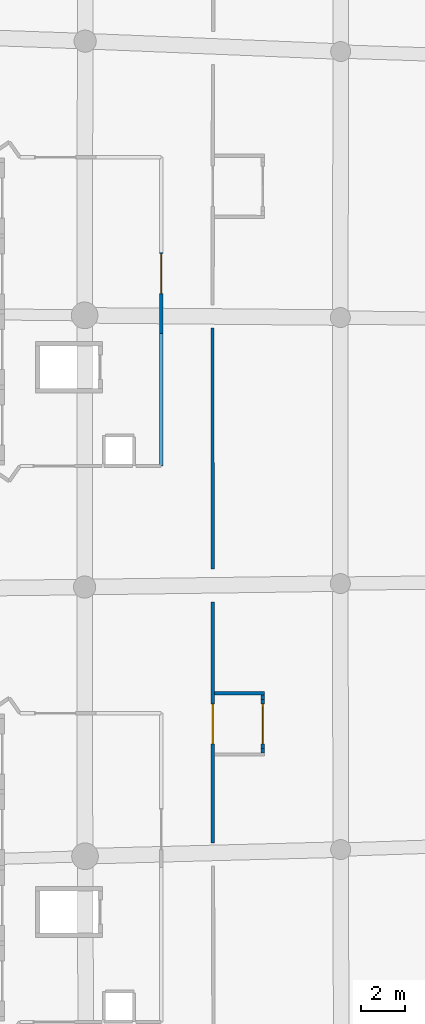
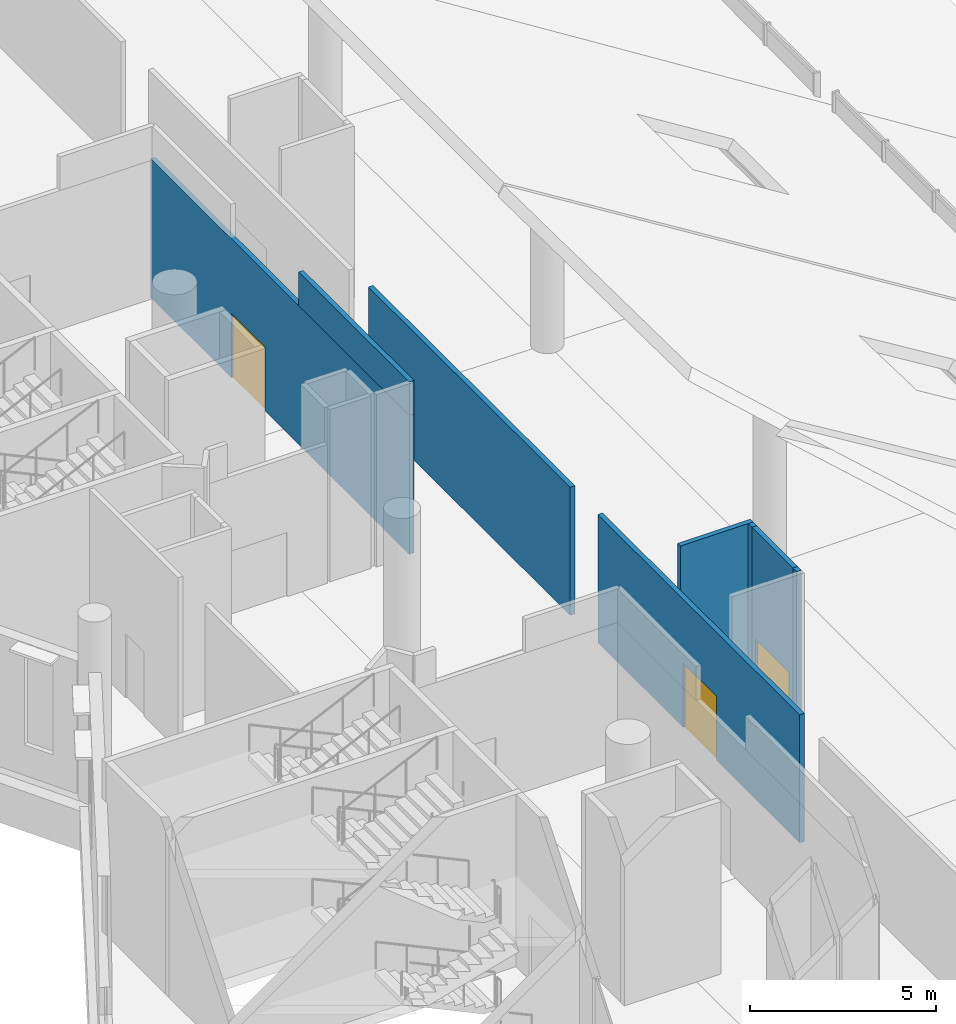
# One storey, part 147 of 249: 8 walls, 3 doors, 3 openings.
"""IFC4 building model written with IfcOpenShell, lengths in metres."""

import ifcopenshell
import ifcopenshell.guid

model = None  # the IFC model being written
_history = None  # IfcOwnerHistory: only IFC2X3 demands one
_inside = {}  # id of a spatial element -> (the spatial element, [elements in it])
_under = {}  # id of a project, library or spatial element -> (it, [spatial elements below it])
_declared = {}  # id of a project -> (the project, [libraries it declares])
_typed = {}  # id of a type object -> (the type object, [elements of that type])
_made_of = {}  # id of a material, layer set ... -> (it, [elements and type objects made of it])


def new_model(schema):
    """Start an empty IFC model of exactly this schema.

    Asked for "IFC4X3", IfcOpenShell would pick the latest addendum, in which some entities
    have other attributes; the version numbers below select the first issue.
    IFC2X3 requires an IfcOwnerHistory on every rooted entity: one is made here for all.
    """
    global model, _history
    if schema == "IFC4X3":
        model = ifcopenshell.file(schema_version=(4, 3, 0, 0))
    else:
        model = ifcopenshell.file(schema=schema)
    _inside.clear()
    _under.clear()
    _declared.clear()
    _typed.clear()
    _made_of.clear()
    _history = None
    if model.schema == "IFC2X3":
        org = make("IfcOrganization", Name="unknown")
        user = make(
            "IfcPersonAndOrganization",
            ThePerson=make("IfcPerson", FamilyName="unknown"),
            TheOrganization=org,
        )
        app = make(
            "IfcApplication",
            ApplicationDeveloper=org,
            Version="unknown",
            ApplicationFullName="unknown",
            ApplicationIdentifier="unknown",
        )
        _history = make(
            "IfcOwnerHistory",
            OwningUser=user,
            OwningApplication=app,
            ChangeAction="ADDED",
            CreationDate=0,
        )
    return model


def make(cls, **values):
    """One entity of the class cls with the attributes given. An attribute that is None is left unset."""
    return model.create_entity(
        cls, **{name: value for name, value in values.items() if value is not None}
    )


def rooted(cls, **values):
    """An entity with a GlobalId (a new one), such as an element, a storey or a relation."""
    return make(cls, GlobalId=ifcopenshell.guid.new(), OwnerHistory=_history, **values)


def si_unit(unit_type, name, prefix=None):
    """IfcSIUnit, for example si_unit("LENGTHUNIT", "METRE", prefix="MILLI")."""
    return make("IfcSIUnit", UnitType=unit_type, Prefix=prefix, Name=name)


def assignment(units):
    """IfcUnitAssignment: the units of a project."""
    return None if units is None else make("IfcUnitAssignment", Units=units)


def point(xyz):
    """IfcCartesianPoint."""
    return None if xyz is None else make("IfcCartesianPoint", Coordinates=xyz)


def direction(xyz):
    """IfcDirection."""
    return None if xyz is None else make("IfcDirection", DirectionRatios=xyz)


def frame(location, z_axis=None, x_axis=None):
    """IfcAxis2Placement3D, a coordinate frame: its origin and axes. An axis left out is left unset."""
    return make(
        "IfcAxis2Placement3D",
        Location=point(location),
        Axis=direction(z_axis),
        RefDirection=direction(x_axis),
    )


def frame_2d(location, x_axis=None):
    """IfcAxis2Placement2D, a coordinate frame in the plane: its origin and x axis."""
    return make(
        "IfcAxis2Placement2D", Location=point(location), RefDirection=direction(x_axis)
    )


def origin():
    """The frame at (0, 0, 0) with its axes left unset."""
    return frame((0.0, 0.0, 0.0))


def place(relative_to, where):
    """IfcLocalPlacement: puts the frame where relative to a parent placement (None: the world)."""
    return make(
        "IfcLocalPlacement", PlacementRelTo=relative_to, RelativePlacement=where
    )


def context(
    kind, dimensions, precision=None, world=None, true_north=None, identifier=None
):
    """IfcGeometricRepresentationContext, for example the 3D "Model" context."""
    return make(
        "IfcGeometricRepresentationContext",
        ContextIdentifier=identifier,
        ContextType=kind,
        CoordinateSpaceDimension=dimensions,
        Precision=precision,
        WorldCoordinateSystem=world,
        TrueNorth=true_north,
    )


def subcontext(parent, identifier, kind, view, scale=None):
    """IfcGeometricRepresentationSubContext, for example "Body" below "Model"."""
    return make(
        "IfcGeometricRepresentationSubContext",
        ContextIdentifier=identifier,
        ContextType=kind,
        ParentContext=parent,
        TargetScale=scale,
        TargetView=view,
    )


def project(units=None, contexts=None):
    """IfcProject with its units and contexts."""
    return rooted(
        "IfcProject",
        Name="project",
        RepresentationContexts=contexts,
        UnitsInContext=assignment(units),
    )


def spatial(cls, under=None, at=None, **own):
    """A site, building, storey or space (cls), placed at a placement, below another one or the project."""
    s = rooted(cls, ObjectPlacement=at, **own)
    if under is not None:
        _under.setdefault(under.id(), (under, []))[1].append(s)
    return s


def profile(cls, at=None, kind="AREA", **sizes):
    """A parametric profile (cls). Its sizes go by their IFC names, for example OverallWidth=200.0."""
    return make(cls, ProfileType=kind, Position=at, **sizes)


def rectangle(**sizes):
    """IfcRectangleProfileDef."""
    return profile("IfcRectangleProfileDef", **sizes)


def extrude(swept, where, along, depth):
    """IfcExtrudedAreaSolid: the profile swept, set in the frame where, extruded along a direction by depth."""
    return make(
        "IfcExtrudedAreaSolid",
        SweptArea=swept,
        Position=where,
        ExtrudedDirection=direction(along),
        Depth=depth,
    )


def shape(context_of_items, identifier, shape_type, items):
    """IfcShapeRepresentation: the items that make up one representation, for example the "Body"."""
    return make(
        "IfcShapeRepresentation",
        ContextOfItems=context_of_items,
        RepresentationIdentifier=identifier,
        RepresentationType=shape_type,
        Items=items,
    )


def material(Name=None, Category=None):
    """IfcMaterial."""
    return make("IfcMaterial", Name=Name, Category=Category)


def layer(
    of_material, thickness, ventilated=None, Name=None, Category=None, Priority=None
):
    """IfcMaterialLayer: one layer of a wall or slab, of a material (None: an air gap)."""
    return make(
        "IfcMaterialLayer",
        Material=of_material,
        LayerThickness=thickness,
        IsVentilated=ventilated,
        Name=Name,
        Category=Category,
        Priority=Priority,
    )


def layer_set(layers, Name=None):
    """IfcMaterialLayerSet."""
    return make("IfcMaterialLayerSet", MaterialLayers=layers, LayerSetName=Name)


def made_of(thing, what):
    """Note that an element or type object is made of a material, layer set ...; save() writes the relation."""
    if what is not None:
        _made_of.setdefault(what.id(), (what, []))[1].append(thing)
    return thing


def type_object(cls, material=None, **own):
    """A type object (cls), such as IfcWallType, which elements share."""
    return made_of(rooted(cls, **own), material)


def element(
    cls,
    number,
    at=None,
    inside=None,
    cuts=None,
    type_object=None,
    material=None,
    context=None,
    identifier="Body",
    shape_type=None,
    held_by="IfcProductDefinitionShape",
    body=None,
    shapes=None,
    **own,
):
    """One element of the class cls, such as IfcWall. Its Tag is "e" and its number.

    at: its placement. inside: the storey or other place that contains it. cuts: it is an
    opening in that element (IfcRelVoidsElement). A single representation is given by context,
    identifier, shape_type and body (its items); several are given by shapes. held_by: the class
    of the entity that holds the representations. save() writes the other relations.
    """
    e = rooted(cls, Tag="e%d" % number, ObjectPlacement=at, **own)
    if body is not None:
        shapes = [shape(context, identifier, shape_type, body)]
    if shapes is not None:
        e.Representation = make(held_by, Representations=shapes)
    if inside is not None:
        _inside.setdefault(inside.id(), (inside, []))[1].append(e)
    if cuts is not None:
        rooted(
            "IfcRelVoidsElement", RelatingBuildingElement=cuts, RelatedOpeningElement=e
        )
    if type_object is not None:
        _typed.setdefault(type_object.id(), (type_object, []))[1].append(e)
    return made_of(e, material)


def fill(opening, filler):
    """IfcRelFillsElement: the door or window that sits in an opening."""
    return rooted(
        "IfcRelFillsElement",
        RelatingOpeningElement=opening,
        RelatedBuildingElement=filler,
    )


def aggregate(whole, parts):
    """IfcRelAggregates: a whole, such as a stair, and the parts it consists of."""
    return rooted("IfcRelAggregates", RelatingObject=whole, RelatedObjects=parts)


def save(model, path):
    """Write the relations noted so far, then the file.

    IfcRelAggregates (storeys below a building ...), IfcRelContainedInSpatialStructure (elements
    in a storey), IfcRelDefinesByType, IfcRelAssociatesMaterial and IfcRelDeclares: one each for
    every whole, place, type object, material and project.
    """
    for whole, parts in _under.values():
        aggregate(whole, parts)
    for where, things in _inside.values():
        rooted(
            "IfcRelContainedInSpatialStructure",
            RelatedElements=things,
            RelatingStructure=where,
        )
    for kind, things in _typed.values():
        rooted("IfcRelDefinesByType", RelatedObjects=things, RelatingType=kind)
    for what, things in _made_of.values():
        rooted("IfcRelAssociatesMaterial", RelatedObjects=things, RelatingMaterial=what)
    for by, libraries in _declared.values():
        rooted("IfcRelDeclares", RelatingContext=by, RelatedDefinitions=libraries)
    model.write(path)


model = new_model("IFC4")

# Units and contexts
model_context = context("Model", 3, precision=1e-05, world=origin(), true_north=direction((0.0, 1.0)))
body_context = subcontext(model_context, "Body", "Model", "MODEL_VIEW")
ifc_project = project(units=[si_unit("LENGTHUNIT", "METRE"), si_unit("AREAUNIT", "SQUARE_METRE"), si_unit("VOLUMEUNIT", "CUBIC_METRE"), si_unit("PLANEANGLEUNIT", "RADIAN"), si_unit("MASSUNIT", "GRAM", prefix="KILO")], contexts=[model_context])

# Site, building, storey
site_placement = place(None, origin())
site = spatial("IfcSite", under=ifc_project, at=site_placement, CompositionType="ELEMENT")
building_placement = place(site_placement, origin())
building = spatial("IfcBuilding", under=site, at=building_placement, Name="Meseta Stadium", CompositionType="ELEMENT")
storey_placement = place(building_placement, frame((0.0, 0.0, 12.0)))
storey = spatial("IfcBuildingStorey", under=building, at=storey_placement, Name="L02", CompositionType="ELEMENT", Elevation=12.0)

# Wall, opening, door
ifc_material_1 = material(Name="Masonry blockwork", Category="masonry")
ifc_layer = layer(ifc_material_1, 0.14990234375)
ifc_layer_set = layer_set([ifc_layer], Name="Partition 150")
wall_type = type_object("IfcWallType", Name="Partition 150", PredefinedType="PARTITIONING", material=ifc_layer_set)
wall_1_placement = place(storey_placement, frame((-79.229736328125, -17.64013671875, 0.0), z_axis=(0.0, 0.0, 1.0), x_axis=(-0.0007662833, 0.999999706405, 0.0)))
wall_1 = element("IfcWall", 1, at=wall_1_placement, inside=storey, type_object=wall_type, Name="Partition L02 L02-cell16-0-0", PredefinedType="PARTITIONING", context=body_context, shape_type="SweptSolid", body=[
    extrude(rectangle(XDim=10.83251953125, YDim=0.14990234375, at=frame_2d((5.416259765625, 0.0))), origin(), (0.0, 0.0, 1.0), 4.19970703125),
])
opening_1_placement = place(wall_1_placement, frame((4.449951171875, 0.0, 0.0)))
opening_1 = element("IfcOpeningElement", 2, at=opening_1_placement, cuts=wall_1, Name="Opening D1036", PredefinedType="OPENING", context=body_context, shape_type="SweptSolid", body=[
    extrude(rectangle(XDim=1.800048828125, YDim=2.10009765625, at=frame_2d((0.89990234375, 1.050048828125))), frame((0.0, 0.0849609375, 0.0), z_axis=(0.0, -1.0, 0.0), x_axis=(1.0, 0.0, 0.0)), (0.0, 0.0, 1.0), 0.169921875),
])
ifc_material_2 = material(Name="Steel", Category="steel")
door_type = type_object("IfcDoorType", Name="Fire double door 1800x2100 EI2 60", OperationType="DOUBLE_DOOR_SINGLE_SWING", PredefinedType="DOOR", material=ifc_material_2)
door_1_placement = place(opening_1_placement, origin())
door_1 = element("IfcDoor", 3, at=door_1_placement, inside=storey, type_object=door_type, Name="Room door L02 L02-cell16-0-0", OperationType="DOUBLE_DOOR_SINGLE_SWING", OverallHeight=2.10009765625, OverallWidth=1.800048828125, PredefinedType="DOOR", context=body_context, shape_type="SweptSolid", body=[
    extrude(rectangle(XDim=1.800048828125, YDim=2.10009765625, at=frame_2d((0.89990234375, 1.050048828125))), frame((0.0, 0.02490234375, 0.0), z_axis=(0.0, -1.0, 0.0), x_axis=(1.0, 0.0, 0.0)), (0.0, 0.0, 1.0), 0.050048828125),
])
fill(opening_1, door_1)

# Wall
wall_2_placement = place(storey_placement, frame((-79.239013671875, -5.33056640625, 0.0), z_axis=(0.0, 0.0, 1.0), x_axis=(-0.0007662833, 0.999999706405, 0.0)))
element("IfcWall", 4, at=wall_2_placement, inside=storey, type_object=wall_type, Name="Partition L02 L02-cell16-0-0", PredefinedType="PARTITIONING", context=body_context, shape_type="SweptSolid", body=[
    extrude(rectangle(XDim=10.83251953125, YDim=0.14990234375, at=frame_2d((5.416259765625, 0.0))), origin(), (0.0, 0.0, 1.0), 4.19970703125),
])

# Wall, opening, door
wall_3_placement = place(storey_placement, frame((-81.554931640625, -0.695068359375, 0.0), z_axis=(0.0, 0.0, 1.0), x_axis=(0.0, 1.0, 0.0)))
wall_3 = element("IfcWall", 5, at=wall_3_placement, inside=storey, type_object=wall_type, Name="Stair vestibule wall L02 core 17", PredefinedType="PARTITIONING", context=body_context, shape_type="SweptSolid", body=[
    extrude(rectangle(XDim=13.89013671875, YDim=0.14990234375, at=frame_2d((6.945068359375, 0.0))), origin(), (0.0, 0.0, 1.0), 4.550048828125),
])
opening_2_placement = place(wall_3_placement, frame((7.75, 0.0, 0.0)))
opening_2 = element("IfcOpeningElement", 6, at=opening_2_placement, cuts=wall_3, Name="Opening D1029", PredefinedType="OPENING", context=body_context, shape_type="SweptSolid", body=[
    extrude(rectangle(XDim=1.800048828125, YDim=2.10009765625, at=frame_2d((0.89990234375, 1.050048828125))), frame((0.0, 0.0849609375, 0.0), z_axis=(0.0, -1.0, 0.0), x_axis=(1.0, 0.0, 0.0)), (0.0, 0.0, 1.0), 0.169921875),
])
door_2_placement = place(opening_2_placement, origin())
door_2 = element("IfcDoor", 7, at=door_2_placement, inside=storey, type_object=door_type, Name="Stair vestibule door L02 core 17", OperationType="DOUBLE_DOOR_SINGLE_SWING", OverallHeight=2.10009765625, OverallWidth=1.800048828125, PredefinedType="DOOR", context=body_context, shape_type="SweptSolid", body=[
    extrude(rectangle(XDim=1.800048828125, YDim=2.10009765625, at=frame_2d((0.89990234375, 1.050048828125))), frame((0.0, 0.02490234375, 0.0), z_axis=(0.0, -1.0, 0.0), x_axis=(1.0, 0.0, 0.0)), (0.0, 0.0, 1.0), 0.050048828125),
])
fill(opening_2, door_2)

# Walls
wall_4_placement = place(storey_placement, frame((-81.554931640625, -0.695068359375, 4.550048828125), z_axis=(0.0, 0.0, 1.0), x_axis=(0.0, 1.0, 0.0)))
element("IfcWall", 8, at=wall_4_placement, inside=storey, type_object=wall_type, Name="Stair vestibule wall L02 core 17", PredefinedType="PARTITIONING", context=body_context, shape_type="SweptSolid", body=[
    extrude(rectangle(XDim=5.952880859375, YDim=0.14990234375, at=frame_2d((2.9765625, 0.0))), origin(), (0.0, 0.0, 1.0), 1.099853515625),
])
wall_5_placement = place(storey_placement, frame((-79.159912109375, -10.9150390625, 0.0), z_axis=(0.0, 0.0, 1.0), x_axis=(0.999999711543, 0.000759548392, 0.0)))
element("IfcWall", 9, at=wall_5_placement, inside=storey, type_object=wall_type, Name="Partition L02 L02-cell16-0-0 vestibule", PredefinedType="PARTITIONING", context=body_context, shape_type="SweptSolid", body=[
    extrude(rectangle(XDim=2.25, YDim=0.14990234375, at=frame_2d((1.125, 0.0))), origin(), (0.0, 0.0, 1.0), 5.64990234375),
])
wall_6_placement = place(storey_placement, frame((-76.98291015625, -13.58837890625, 0.0), z_axis=(0.0, 0.0, 1.0), x_axis=(0.0, 1.0, 0.0)))
element("IfcWall", 10, at=wall_6_placement, inside=storey, type_object=wall_type, Name="Partition L02 L02-cell16-0-0 vestibule", PredefinedType="PARTITIONING", context=body_context, shape_type="SweptSolid", body=[
    extrude(rectangle(XDim=0.199951171875, YDim=0.14990234375, at=frame_2d((0.10009765625, 0.0))), origin(), (0.0, 0.0, 1.0), 5.64990234375),
])

# Wall, opening, door
wall_7_placement = place(storey_placement, frame((-76.98291015625, -13.388427734375, 0.0), z_axis=(0.0, 0.0, 1.0), x_axis=(-0.000776828087, 0.999999698269, 0.0)))
wall_7 = element("IfcWall", 11, at=wall_7_placement, inside=storey, type_object=wall_type, Name="Partition L02 L02-cell16-0-0 vestibule", PredefinedType="PARTITIONING", context=body_context, shape_type="SweptSolid", body=[
    extrude(rectangle(XDim=2.199951171875, YDim=0.14990234375, at=frame_2d((1.10009765625, 0.0))), origin(), (0.0, 0.0, 1.0), 5.64990234375),
])
opening_3_placement = place(wall_7_placement, frame((0.199951171875, 0.0, 0.0)))
opening_3 = element("IfcOpeningElement", 12, at=opening_3_placement, cuts=wall_7, Name="Opening D1045", PredefinedType="OPENING", context=body_context, shape_type="SweptSolid", body=[
    extrude(rectangle(XDim=1.800048828125, YDim=2.10009765625, at=frame_2d((0.89990234375, 1.050048828125))), frame((0.0, 0.0849609375, 0.0), z_axis=(0.0, -1.0, 0.0), x_axis=(1.0, 0.0, 0.0)), (0.0, 0.0, 1.0), 0.169921875),
])
door_3_placement = place(opening_3_placement, origin())
door_3 = element("IfcDoor", 13, at=door_3_placement, inside=storey, type_object=door_type, Name="Vestibule door L02 L02-cell16-0-0", OperationType="DOUBLE_DOOR_SINGLE_SWING", OverallHeight=2.10009765625, OverallWidth=1.800048828125, PredefinedType="DOOR", context=body_context, shape_type="SweptSolid", body=[
    extrude(rectangle(XDim=1.800048828125, YDim=2.10009765625, at=frame_2d((0.89990234375, 1.050048828125))), frame((0.0, 0.02490234375, 0.0), z_axis=(0.0, -1.0, 0.0), x_axis=(1.0, 0.0, 0.0)), (0.0, 0.0, 1.0), 0.050048828125),
])
fill(opening_3, door_3)

# Wall
wall_8_placement = place(storey_placement, frame((-76.984619140625, -11.1884765625, 0.0), z_axis=(0.0, 0.0, 1.0), x_axis=(-0.001221000311, 0.999999254579, 0.0)))
element("IfcWall", 14, at=wall_8_placement, inside=storey, type_object=wall_type, Name="Partition L02 L02-cell16-0-0 vestibule", PredefinedType="PARTITIONING", context=body_context, shape_type="SweptSolid", body=[
    extrude(rectangle(XDim=0.199951171875, YDim=0.14990234375, at=frame_2d((0.10009765625, 0.0))), origin(), (0.0, 0.0, 1.0), 5.64990234375),
])

save(model, "model.ifc")
